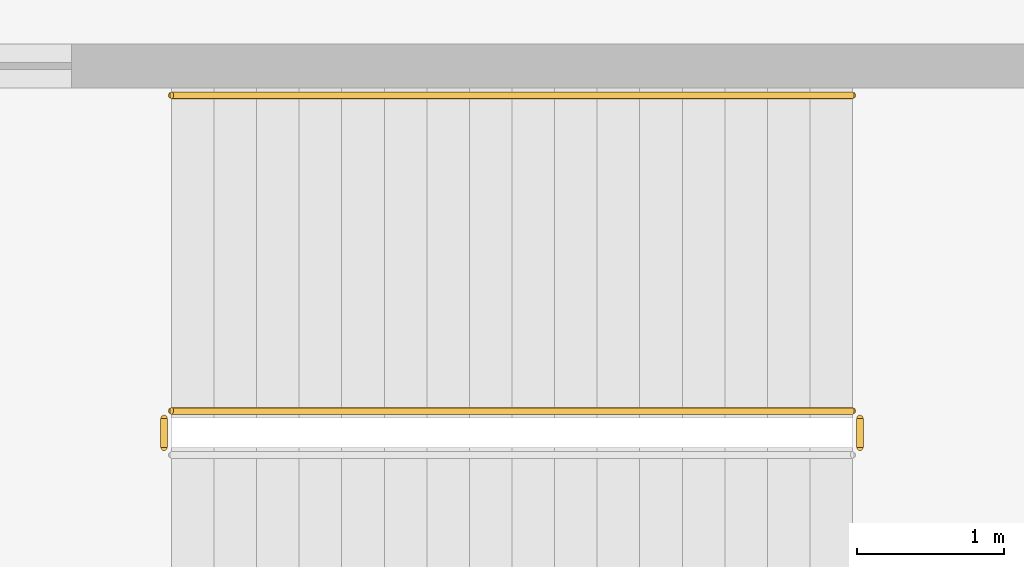
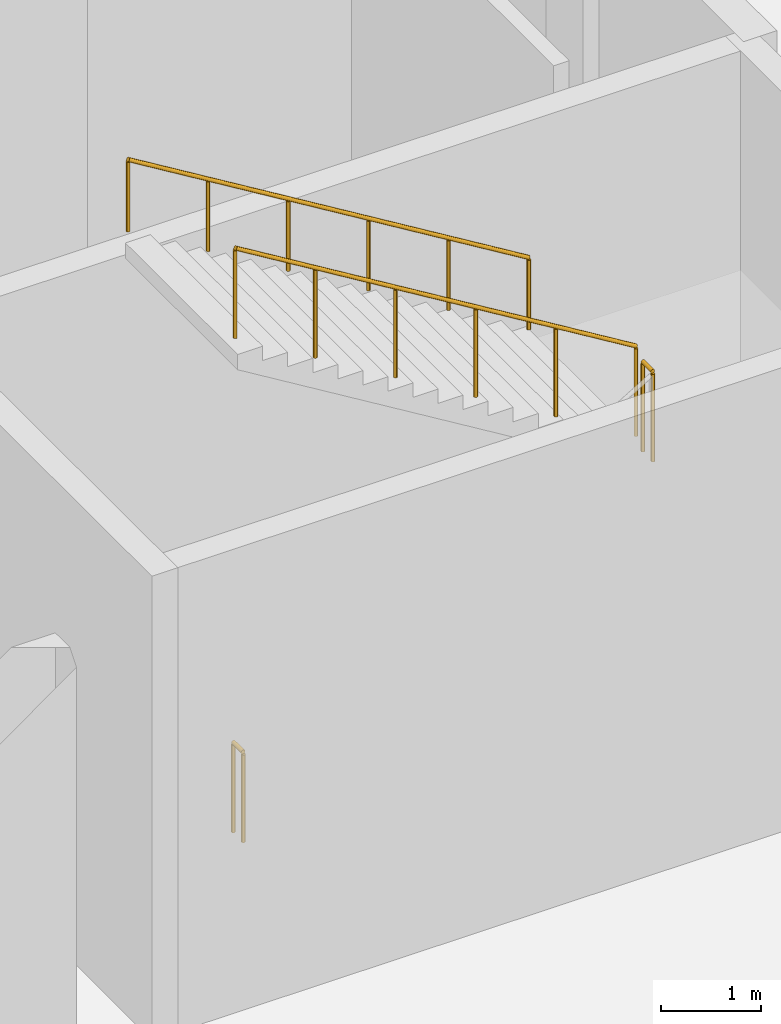
# One storey, part 124 of 135: 4 railings.
"""IFC4 building model written with IfcOpenShell, lengths in metres."""

import ifcopenshell
import ifcopenshell.guid

model = None  # the IFC model being written
_history = None  # IfcOwnerHistory: only IFC2X3 demands one
_inside = {}  # id of a spatial element -> (the spatial element, [elements in it])
_under = {}  # id of a project, library or spatial element -> (it, [spatial elements below it])
_declared = {}  # id of a project -> (the project, [libraries it declares])
_typed = {}  # id of a type object -> (the type object, [elements of that type])
_made_of = {}  # id of a material, layer set ... -> (it, [elements and type objects made of it])


def new_model(schema):
    """Start an empty IFC model of exactly this schema.

    Asked for "IFC4X3", IfcOpenShell would pick the latest addendum, in which some entities
    have other attributes; the version numbers below select the first issue.
    IFC2X3 requires an IfcOwnerHistory on every rooted entity: one is made here for all.
    """
    global model, _history
    if schema == "IFC4X3":
        model = ifcopenshell.file(schema_version=(4, 3, 0, 0))
    else:
        model = ifcopenshell.file(schema=schema)
    _inside.clear()
    _under.clear()
    _declared.clear()
    _typed.clear()
    _made_of.clear()
    _history = None
    if model.schema == "IFC2X3":
        org = make("IfcOrganization", Name="unknown")
        user = make(
            "IfcPersonAndOrganization",
            ThePerson=make("IfcPerson", FamilyName="unknown"),
            TheOrganization=org,
        )
        app = make(
            "IfcApplication",
            ApplicationDeveloper=org,
            Version="unknown",
            ApplicationFullName="unknown",
            ApplicationIdentifier="unknown",
        )
        _history = make(
            "IfcOwnerHistory",
            OwningUser=user,
            OwningApplication=app,
            ChangeAction="ADDED",
            CreationDate=0,
        )
    return model


def make(cls, **values):
    """One entity of the class cls with the attributes given. An attribute that is None is left unset."""
    return model.create_entity(
        cls, **{name: value for name, value in values.items() if value is not None}
    )


def rooted(cls, **values):
    """An entity with a GlobalId (a new one), such as an element, a storey or a relation."""
    return make(cls, GlobalId=ifcopenshell.guid.new(), OwnerHistory=_history, **values)


def si_unit(unit_type, name, prefix=None):
    """IfcSIUnit, for example si_unit("LENGTHUNIT", "METRE", prefix="MILLI")."""
    return make("IfcSIUnit", UnitType=unit_type, Prefix=prefix, Name=name)


def assignment(units):
    """IfcUnitAssignment: the units of a project."""
    return None if units is None else make("IfcUnitAssignment", Units=units)


def point(xyz):
    """IfcCartesianPoint."""
    return None if xyz is None else make("IfcCartesianPoint", Coordinates=xyz)


def direction(xyz):
    """IfcDirection."""
    return None if xyz is None else make("IfcDirection", DirectionRatios=xyz)


def frame(location, z_axis=None, x_axis=None):
    """IfcAxis2Placement3D, a coordinate frame: its origin and axes. An axis left out is left unset."""
    return make(
        "IfcAxis2Placement3D",
        Location=point(location),
        Axis=direction(z_axis),
        RefDirection=direction(x_axis),
    )


def frame_2d(location, x_axis=None):
    """IfcAxis2Placement2D, a coordinate frame in the plane: its origin and x axis."""
    return make(
        "IfcAxis2Placement2D", Location=point(location), RefDirection=direction(x_axis)
    )


def origin():
    """The frame at (0, 0, 0) with its axes left unset."""
    return frame((0.0, 0.0, 0.0))


def origin_2d():
    """The frame at (0, 0) in the plane with its x axis left unset."""
    return frame_2d((0.0, 0.0))


def place(relative_to, where):
    """IfcLocalPlacement: puts the frame where relative to a parent placement (None: the world)."""
    return make(
        "IfcLocalPlacement", PlacementRelTo=relative_to, RelativePlacement=where
    )


def context(
    kind, dimensions, precision=None, world=None, true_north=None, identifier=None
):
    """IfcGeometricRepresentationContext, for example the 3D "Model" context."""
    return make(
        "IfcGeometricRepresentationContext",
        ContextIdentifier=identifier,
        ContextType=kind,
        CoordinateSpaceDimension=dimensions,
        Precision=precision,
        WorldCoordinateSystem=world,
        TrueNorth=true_north,
    )


def subcontext(parent, identifier, kind, view, scale=None):
    """IfcGeometricRepresentationSubContext, for example "Body" below "Model"."""
    return make(
        "IfcGeometricRepresentationSubContext",
        ContextIdentifier=identifier,
        ContextType=kind,
        ParentContext=parent,
        TargetScale=scale,
        TargetView=view,
    )


def project(units=None, contexts=None):
    """IfcProject with its units and contexts."""
    return rooted(
        "IfcProject",
        Name="project",
        RepresentationContexts=contexts,
        UnitsInContext=assignment(units),
    )


def spatial(cls, under=None, at=None, **own):
    """A site, building, storey or space (cls), placed at a placement, below another one or the project."""
    s = rooted(cls, ObjectPlacement=at, **own)
    if under is not None:
        _under.setdefault(under.id(), (under, []))[1].append(s)
    return s


def profile(cls, at=None, kind="AREA", **sizes):
    """A parametric profile (cls). Its sizes go by their IFC names, for example OverallWidth=200.0."""
    return make(cls, ProfileType=kind, Position=at, **sizes)


def circle(**sizes):
    """IfcCircleProfileDef."""
    return profile("IfcCircleProfileDef", **sizes)


def extrude(swept, where, along, depth):
    """IfcExtrudedAreaSolid: the profile swept, set in the frame where, extruded along a direction by depth."""
    return make(
        "IfcExtrudedAreaSolid",
        SweptArea=swept,
        Position=where,
        ExtrudedDirection=direction(along),
        Depth=depth,
    )


def shape(context_of_items, identifier, shape_type, items):
    """IfcShapeRepresentation: the items that make up one representation, for example the "Body"."""
    return make(
        "IfcShapeRepresentation",
        ContextOfItems=context_of_items,
        RepresentationIdentifier=identifier,
        RepresentationType=shape_type,
        Items=items,
    )


def material(Name=None, Category=None):
    """IfcMaterial."""
    return make("IfcMaterial", Name=Name, Category=Category)


def made_of(thing, what):
    """Note that an element or type object is made of a material, layer set ...; save() writes the relation."""
    if what is not None:
        _made_of.setdefault(what.id(), (what, []))[1].append(thing)
    return thing


def type_object(cls, material=None, **own):
    """A type object (cls), such as IfcWallType, which elements share."""
    return made_of(rooted(cls, **own), material)


def element(
    cls,
    number,
    at=None,
    inside=None,
    cuts=None,
    type_object=None,
    material=None,
    context=None,
    identifier="Body",
    shape_type=None,
    held_by="IfcProductDefinitionShape",
    body=None,
    shapes=None,
    **own,
):
    """One element of the class cls, such as IfcWall. Its Tag is "e" and its number.

    at: its placement. inside: the storey or other place that contains it. cuts: it is an
    opening in that element (IfcRelVoidsElement). A single representation is given by context,
    identifier, shape_type and body (its items); several are given by shapes. held_by: the class
    of the entity that holds the representations. save() writes the other relations.
    """
    e = rooted(cls, Tag="e%d" % number, ObjectPlacement=at, **own)
    if body is not None:
        shapes = [shape(context, identifier, shape_type, body)]
    if shapes is not None:
        e.Representation = make(held_by, Representations=shapes)
    if inside is not None:
        _inside.setdefault(inside.id(), (inside, []))[1].append(e)
    if cuts is not None:
        rooted(
            "IfcRelVoidsElement", RelatingBuildingElement=cuts, RelatedOpeningElement=e
        )
    if type_object is not None:
        _typed.setdefault(type_object.id(), (type_object, []))[1].append(e)
    return made_of(e, material)


def aggregate(whole, parts):
    """IfcRelAggregates: a whole, such as a stair, and the parts it consists of."""
    return rooted("IfcRelAggregates", RelatingObject=whole, RelatedObjects=parts)


def save(model, path):
    """Write the relations noted so far, then the file.

    IfcRelAggregates (storeys below a building ...), IfcRelContainedInSpatialStructure (elements
    in a storey), IfcRelDefinesByType, IfcRelAssociatesMaterial and IfcRelDeclares: one each for
    every whole, place, type object, material and project.
    """
    for whole, parts in _under.values():
        aggregate(whole, parts)
    for where, things in _inside.values():
        rooted(
            "IfcRelContainedInSpatialStructure",
            RelatedElements=things,
            RelatingStructure=where,
        )
    for kind, things in _typed.values():
        rooted("IfcRelDefinesByType", RelatedObjects=things, RelatingType=kind)
    for what, things in _made_of.values():
        rooted("IfcRelAssociatesMaterial", RelatedObjects=things, RelatingMaterial=what)
    for by, libraries in _declared.values():
        rooted("IfcRelDeclares", RelatingContext=by, RelatedDefinitions=libraries)
    model.write(path)


model = new_model("IFC4")

# Units and contexts
model_context = context("Model", 3, precision=1e-05, world=origin(), true_north=direction((0.0, 1.0)))
body_context = subcontext(model_context, "Body", "Model", "MODEL_VIEW")
ifc_project = project(units=[si_unit("LENGTHUNIT", "METRE"), si_unit("AREAUNIT", "SQUARE_METRE"), si_unit("VOLUMEUNIT", "CUBIC_METRE"), si_unit("PLANEANGLEUNIT", "RADIAN"), si_unit("MASSUNIT", "GRAM", prefix="KILO")], contexts=[model_context])

# Site, building, storey
site_placement = place(None, origin())
site = spatial("IfcSite", under=ifc_project, at=site_placement, CompositionType="ELEMENT")
building_placement = place(site_placement, origin())
building = spatial("IfcBuilding", under=site, at=building_placement, Name="Larkvane Passage Sports Hall", CompositionType="ELEMENT")
storey_placement = place(building_placement, frame((0.0, 0.0, 10.800048828125)))
storey = spatial("IfcBuildingStorey", under=building, at=storey_placement, Name="L02", CompositionType="ELEMENT", Elevation=10.800048828125)

# Railings
ifc_material_1 = material(Name="Steel S355JR", Category="steel")
railing_type_1 = type_object("IfcRailingType", Name="RL-GUARD-1120", PredefinedType="GUARDRAIL", material=ifc_material_1)
railing_1_placement = place(storey_placement, frame((90.8701171875, 25.35009765625, 3.0)))
element("IfcRailing", 1, at=railing_1_placement, inside=storey, type_object=railing_type_1, Name="L02 ST-04 stair guard 2", PredefinedType="GUARDRAIL", context=body_context, shape_type="SweptSolid", body=[
    extrude(circle(Radius=0.02392578125, at=origin_2d()), frame((0.0, 0.001953125, 1.09619140625), z_axis=(0.0, 1.0, 0.0), x_axis=(-1.0, 0.0, 0.0)), (0.0, 0.0, 1.0), 0.196044921875),
    extrude(circle(Radius=0.02099609375, at=origin_2d()), origin(), (0.0, 0.0, 1.0), 1.072021484375),
    extrude(circle(Radius=0.02099609375, at=origin_2d()), frame((0.0, 0.199951171875, 0.0)), (0.0, 0.0, 1.0), 1.072021484375),
])
railing_2_placement = place(storey_placement, frame((90.820068359375, 25.60009765625, 3.176513671875)))
element("IfcRailing", 2, at=railing_2_placement, inside=storey, type_object=railing_type_1, Name="L02 ST-04 stair guard 3", PredefinedType="GUARDRAIL", context=body_context, shape_type="SweptSolid", body=[
    extrude(circle(Radius=0.02392578125, at=origin_2d()), frame((-0.001708984375, 0.0, 1.09716796875), z_axis=(-0.854275794217, 0.0, 0.51982003368), x_axis=(0.0, -1.0, 0.0)), (0.0, 0.0, 1.0), 5.427734375),
    extrude(circle(Radius=0.02099609375, at=origin_2d()), origin(), (0.0, 0.0, 1.0), 1.072021484375),
    extrude(circle(Radius=0.02099609375, at=origin_2d()), frame((-0.927978515625, 0.0, 0.564697265625)), (0.0, 0.0, 1.0), 1.072021484375),
    extrude(circle(Radius=0.02099609375, at=origin_2d()), frame((-1.85595703125, 0.0, 1.12939453125)), (0.0, 0.0, 1.0), 1.072021484375),
    extrude(circle(Radius=0.02099609375, at=origin_2d()), frame((-2.7841796875, 0.0, 1.694091796875)), (0.0, 0.0, 1.0), 1.072021484375),
    extrude(circle(Radius=0.02099609375, at=origin_2d()), frame((-3.712158203125, 0.0, 2.2587890625)), (0.0, 0.0, 1.0), 1.072021484375),
    extrude(circle(Radius=0.02099609375, at=origin_2d()), frame((-4.64013671875, 0.0, 2.823486328125)), (0.0, 0.0, 1.0), 1.072021484375),
])
railing_3_placement = place(storey_placement, frame((86.1298828125, 25.35009765625, 0.0)))
element("IfcRailing", 3, at=railing_3_placement, inside=storey, type_object=railing_type_1, Name="L02 ST-04 stair guard 4", PredefinedType="GUARDRAIL", context=body_context, shape_type="SweptSolid", body=[
    extrude(circle(Radius=0.02392578125, at=origin_2d()), frame((0.0, 0.001953125, 1.09619140625), z_axis=(0.0, 1.0, 0.0), x_axis=(-1.0, 0.0, 0.0)), (0.0, 0.0, 1.0), 0.196044921875),
    extrude(circle(Radius=0.02099609375, at=origin_2d()), origin(), (0.0, 0.0, 1.0), 1.072021484375),
    extrude(circle(Radius=0.02099609375, at=origin_2d()), frame((0.0, 0.199951171875, 0.0)), (0.0, 0.0, 1.0), 1.072021484375),
])
ifc_material_2 = material(Name="Stainless steel S355JR", Category="steel")
railing_type_2 = type_object("IfcRailingType", Name="RL-HAND-920", PredefinedType="HANDRAIL", material=ifc_material_2)
railing_4_placement = place(storey_placement, frame((90.820068359375, 27.75, 3.176513671875)))
element("IfcRailing", 4, at=railing_4_placement, inside=storey, type_object=railing_type_2, Name="L02 ST-04 stair handrail 2", PredefinedType="HANDRAIL", context=body_context, shape_type="SweptSolid", body=[
    extrude(circle(Radius=0.02392578125, at=origin_2d()), frame((-0.001708984375, 0.0, 0.876953125), z_axis=(-0.854275794217, 0.0, 0.51982003368), x_axis=(0.0, -1.0, 0.0)), (0.0, 0.0, 1.0), 5.427734375),
    extrude(circle(Radius=0.02099609375, at=origin_2d()), origin(), (0.0, 0.0, 1.0), 0.851806640625),
    extrude(circle(Radius=0.02099609375, at=origin_2d()), frame((-0.927978515625, 0.0, 0.564697265625)), (0.0, 0.0, 1.0), 0.851806640625),
    extrude(circle(Radius=0.02099609375, at=origin_2d()), frame((-1.85595703125, 0.0, 1.12939453125)), (0.0, 0.0, 1.0), 0.851806640625),
    extrude(circle(Radius=0.02099609375, at=origin_2d()), frame((-2.7841796875, 0.0, 1.694091796875)), (0.0, 0.0, 1.0), 0.851806640625),
    extrude(circle(Radius=0.02099609375, at=origin_2d()), frame((-3.712158203125, 0.0, 2.2587890625)), (0.0, 0.0, 1.0), 0.851806640625),
    extrude(circle(Radius=0.02099609375, at=origin_2d()), frame((-4.64013671875, 0.0, 2.823486328125)), (0.0, 0.0, 1.0), 0.851806640625),
])

save(model, "model.ifc")
